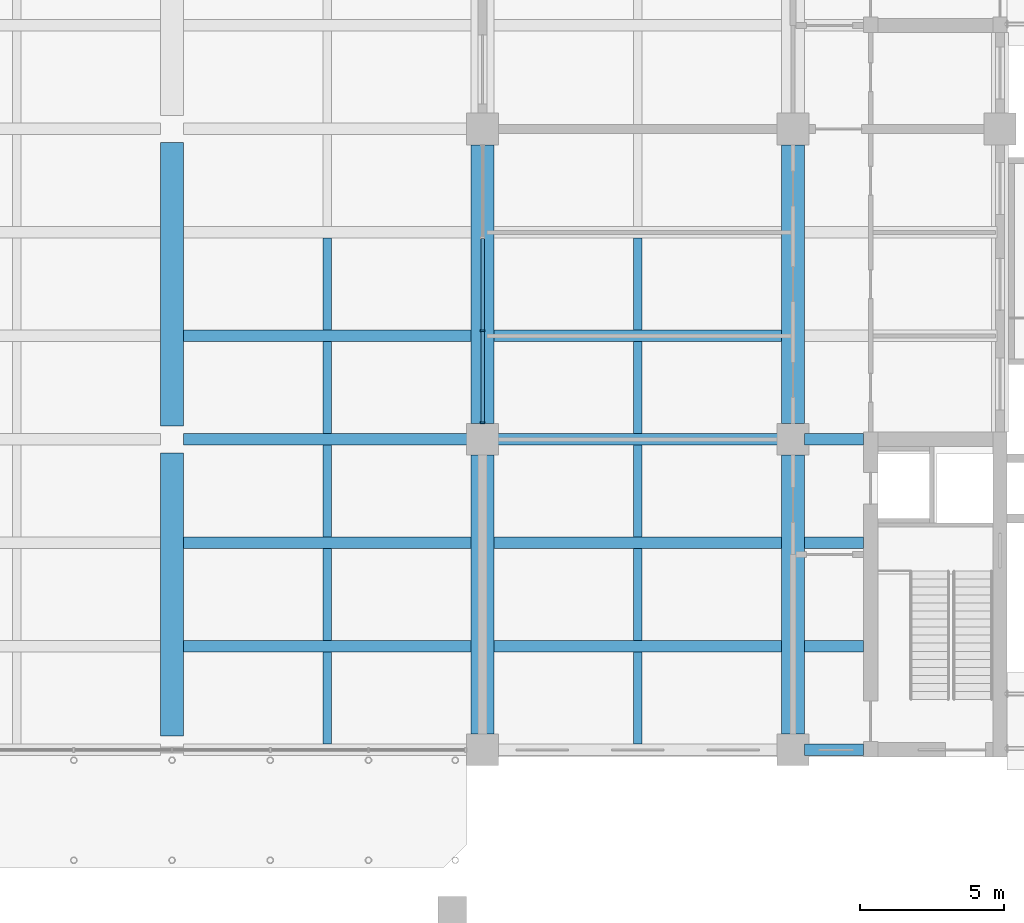
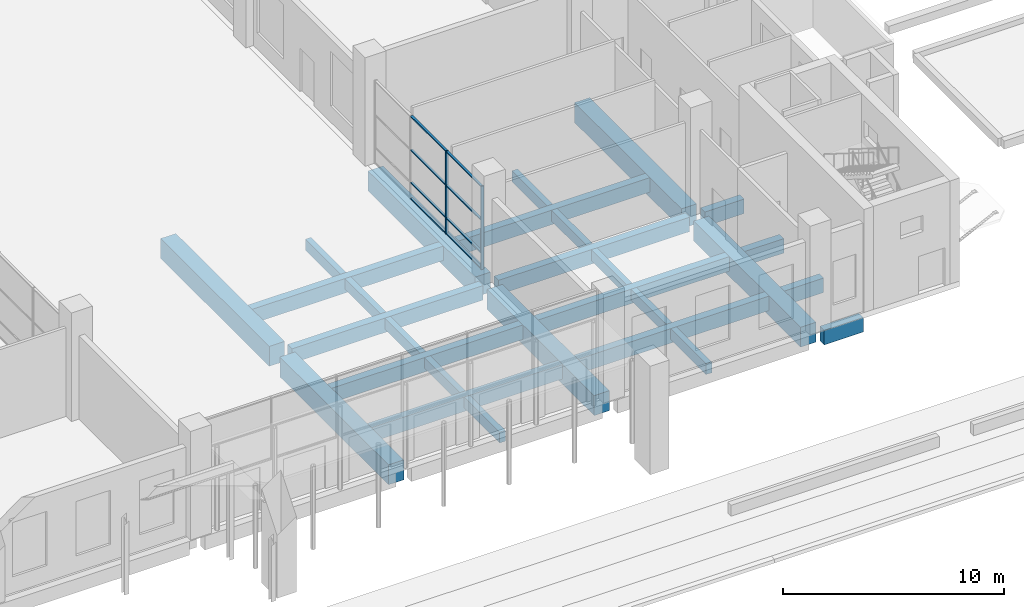
# One storey, part 27 of 71: 28 beams, 10 members, 1 element without a shape of its own.
"""IFC4 building model written with IfcOpenShell, lengths in metres."""

import ifcopenshell
import ifcopenshell.guid

model = None  # the IFC model being written
_history = None  # IfcOwnerHistory: only IFC2X3 demands one
_inside = {}  # id of a spatial element -> (the spatial element, [elements in it])
_under = {}  # id of a project, library or spatial element -> (it, [spatial elements below it])
_declared = {}  # id of a project -> (the project, [libraries it declares])
_typed = {}  # id of a type object -> (the type object, [elements of that type])
_made_of = {}  # id of a material, layer set ... -> (it, [elements and type objects made of it])


def new_model(schema):
    """Start an empty IFC model of exactly this schema.

    Asked for "IFC4X3", IfcOpenShell would pick the latest addendum, in which some entities
    have other attributes; the version numbers below select the first issue.
    IFC2X3 requires an IfcOwnerHistory on every rooted entity: one is made here for all.
    """
    global model, _history
    if schema == "IFC4X3":
        model = ifcopenshell.file(schema_version=(4, 3, 0, 0))
    else:
        model = ifcopenshell.file(schema=schema)
    _inside.clear()
    _under.clear()
    _declared.clear()
    _typed.clear()
    _made_of.clear()
    _history = None
    if model.schema == "IFC2X3":
        org = make("IfcOrganization", Name="unknown")
        user = make(
            "IfcPersonAndOrganization",
            ThePerson=make("IfcPerson", FamilyName="unknown"),
            TheOrganization=org,
        )
        app = make(
            "IfcApplication",
            ApplicationDeveloper=org,
            Version="unknown",
            ApplicationFullName="unknown",
            ApplicationIdentifier="unknown",
        )
        _history = make(
            "IfcOwnerHistory",
            OwningUser=user,
            OwningApplication=app,
            ChangeAction="ADDED",
            CreationDate=0,
        )
    return model


def make(cls, **values):
    """One entity of the class cls with the attributes given. An attribute that is None is left unset."""
    return model.create_entity(
        cls, **{name: value for name, value in values.items() if value is not None}
    )


def rooted(cls, **values):
    """An entity with a GlobalId (a new one), such as an element, a storey or a relation."""
    return make(cls, GlobalId=ifcopenshell.guid.new(), OwnerHistory=_history, **values)


def si_unit(unit_type, name, prefix=None):
    """IfcSIUnit, for example si_unit("LENGTHUNIT", "METRE", prefix="MILLI")."""
    return make("IfcSIUnit", UnitType=unit_type, Prefix=prefix, Name=name)


def assignment(units):
    """IfcUnitAssignment: the units of a project."""
    return None if units is None else make("IfcUnitAssignment", Units=units)


def point(xyz):
    """IfcCartesianPoint."""
    return None if xyz is None else make("IfcCartesianPoint", Coordinates=xyz)


def direction(xyz):
    """IfcDirection."""
    return None if xyz is None else make("IfcDirection", DirectionRatios=xyz)


def frame(location, z_axis=None, x_axis=None):
    """IfcAxis2Placement3D, a coordinate frame: its origin and axes. An axis left out is left unset."""
    return make(
        "IfcAxis2Placement3D",
        Location=point(location),
        Axis=direction(z_axis),
        RefDirection=direction(x_axis),
    )


def frame_2d(location, x_axis=None):
    """IfcAxis2Placement2D, a coordinate frame in the plane: its origin and x axis."""
    return make(
        "IfcAxis2Placement2D", Location=point(location), RefDirection=direction(x_axis)
    )


def origin():
    """The frame at (0, 0, 0) with its axes left unset."""
    return frame((0.0, 0.0, 0.0))


def origin_2d():
    """The frame at (0, 0) in the plane with its x axis left unset."""
    return frame_2d((0.0, 0.0))


def place(relative_to, where):
    """IfcLocalPlacement: puts the frame where relative to a parent placement (None: the world)."""
    return make(
        "IfcLocalPlacement", PlacementRelTo=relative_to, RelativePlacement=where
    )


def context(
    kind, dimensions, precision=None, world=None, true_north=None, identifier=None
):
    """IfcGeometricRepresentationContext, for example the 3D "Model" context."""
    return make(
        "IfcGeometricRepresentationContext",
        ContextIdentifier=identifier,
        ContextType=kind,
        CoordinateSpaceDimension=dimensions,
        Precision=precision,
        WorldCoordinateSystem=world,
        TrueNorth=true_north,
    )


def subcontext(parent, identifier, kind, view, scale=None):
    """IfcGeometricRepresentationSubContext, for example "Body" below "Model"."""
    return make(
        "IfcGeometricRepresentationSubContext",
        ContextIdentifier=identifier,
        ContextType=kind,
        ParentContext=parent,
        TargetScale=scale,
        TargetView=view,
    )


def project(units=None, contexts=None):
    """IfcProject with its units and contexts."""
    return rooted(
        "IfcProject",
        Name="project",
        RepresentationContexts=contexts,
        UnitsInContext=assignment(units),
    )


def spatial(cls, under=None, at=None, **own):
    """A site, building, storey or space (cls), placed at a placement, below another one or the project."""
    s = rooted(cls, ObjectPlacement=at, **own)
    if under is not None:
        _under.setdefault(under.id(), (under, []))[1].append(s)
    return s


def profile(cls, at=None, kind="AREA", **sizes):
    """A parametric profile (cls). Its sizes go by their IFC names, for example OverallWidth=200.0."""
    return make(cls, ProfileType=kind, Position=at, **sizes)


def rectangle(**sizes):
    """IfcRectangleProfileDef."""
    return profile("IfcRectangleProfileDef", **sizes)


def extrude(swept, where, along, depth):
    """IfcExtrudedAreaSolid: the profile swept, set in the frame where, extruded along a direction by depth."""
    return make(
        "IfcExtrudedAreaSolid",
        SweptArea=swept,
        Position=where,
        ExtrudedDirection=direction(along),
        Depth=depth,
    )


def shape(context_of_items, identifier, shape_type, items):
    """IfcShapeRepresentation: the items that make up one representation, for example the "Body"."""
    return make(
        "IfcShapeRepresentation",
        ContextOfItems=context_of_items,
        RepresentationIdentifier=identifier,
        RepresentationType=shape_type,
        Items=items,
    )


def material(Name=None, Category=None):
    """IfcMaterial."""
    return make("IfcMaterial", Name=Name, Category=Category)


def layer(
    of_material, thickness, ventilated=None, Name=None, Category=None, Priority=None
):
    """IfcMaterialLayer: one layer of a wall or slab, of a material (None: an air gap)."""
    return make(
        "IfcMaterialLayer",
        Material=of_material,
        LayerThickness=thickness,
        IsVentilated=ventilated,
        Name=Name,
        Category=Category,
        Priority=Priority,
    )


def layer_set(layers, Name=None):
    """IfcMaterialLayerSet."""
    return make("IfcMaterialLayerSet", MaterialLayers=layers, LayerSetName=Name)


def material_profile(
    of_material, cross_section, Name=None, Category=None, Priority=None
):
    """IfcMaterialProfile: a cross section and its material."""
    return make(
        "IfcMaterialProfile",
        Name=Name,
        Material=of_material,
        Profile=cross_section,
        Priority=Priority,
        Category=Category,
    )


def profile_set(profiles, Name=None, composite=None):
    """IfcMaterialProfileSet."""
    return make(
        "IfcMaterialProfileSet",
        Name=Name,
        MaterialProfiles=profiles,
        CompositeProfile=composite,
    )


def made_of(thing, what):
    """Note that an element or type object is made of a material, layer set ...; save() writes the relation."""
    if what is not None:
        _made_of.setdefault(what.id(), (what, []))[1].append(thing)
    return thing


def type_object(cls, material=None, **own):
    """A type object (cls), such as IfcWallType, which elements share."""
    return made_of(rooted(cls, **own), material)


def element(
    cls,
    number,
    at=None,
    inside=None,
    cuts=None,
    type_object=None,
    material=None,
    context=None,
    identifier="Body",
    shape_type=None,
    held_by="IfcProductDefinitionShape",
    body=None,
    shapes=None,
    **own,
):
    """One element of the class cls, such as IfcWall. Its Tag is "e" and its number.

    at: its placement. inside: the storey or other place that contains it. cuts: it is an
    opening in that element (IfcRelVoidsElement). A single representation is given by context,
    identifier, shape_type and body (its items); several are given by shapes. held_by: the class
    of the entity that holds the representations. save() writes the other relations.
    """
    e = rooted(cls, Tag="e%d" % number, ObjectPlacement=at, **own)
    if body is not None:
        shapes = [shape(context, identifier, shape_type, body)]
    if shapes is not None:
        e.Representation = make(held_by, Representations=shapes)
    if inside is not None:
        _inside.setdefault(inside.id(), (inside, []))[1].append(e)
    if cuts is not None:
        rooted(
            "IfcRelVoidsElement", RelatingBuildingElement=cuts, RelatedOpeningElement=e
        )
    if type_object is not None:
        _typed.setdefault(type_object.id(), (type_object, []))[1].append(e)
    return made_of(e, material)


def aggregate(whole, parts):
    """IfcRelAggregates: a whole, such as a stair, and the parts it consists of."""
    return rooted("IfcRelAggregates", RelatingObject=whole, RelatedObjects=parts)


def save(model, path):
    """Write the relations noted so far, then the file.

    IfcRelAggregates (storeys below a building ...), IfcRelContainedInSpatialStructure (elements
    in a storey), IfcRelDefinesByType, IfcRelAssociatesMaterial and IfcRelDeclares: one each for
    every whole, place, type object, material and project.
    """
    for whole, parts in _under.values():
        aggregate(whole, parts)
    for where, things in _inside.values():
        rooted(
            "IfcRelContainedInSpatialStructure",
            RelatedElements=things,
            RelatingStructure=where,
        )
    for kind, things in _typed.values():
        rooted("IfcRelDefinesByType", RelatedObjects=things, RelatingType=kind)
    for what, things in _made_of.values():
        rooted("IfcRelAssociatesMaterial", RelatedObjects=things, RelatingMaterial=what)
    for by, libraries in _declared.values():
        rooted("IfcRelDeclares", RelatingContext=by, RelatedDefinitions=libraries)
    model.write(path)


model = new_model("IFC4")

# Units and contexts
model_context = context("Model", 3, precision=1e-05, world=origin(), true_north=direction((0.0, 1.0)))
body_context = subcontext(model_context, "Body", "Model", "MODEL_VIEW")
ifc_project = project(units=[si_unit("LENGTHUNIT", "METRE"), si_unit("AREAUNIT", "SQUARE_METRE"), si_unit("VOLUMEUNIT", "CUBIC_METRE"), si_unit("PLANEANGLEUNIT", "RADIAN"), si_unit("MASSUNIT", "GRAM", prefix="KILO")], contexts=[model_context])

# Site, building, storey
site_placement = place(None, origin())
site = spatial("IfcSite", under=ifc_project, at=site_placement, CompositionType="ELEMENT")
building_placement = place(site_placement, origin())
building = spatial("IfcBuilding", under=site, at=building_placement, Name="Basin Gate Institute", CompositionType="ELEMENT")
storey_placement = place(building_placement, origin())
storey = spatial("IfcBuildingStorey", under=building, at=storey_placement, Name="L00", CompositionType="ELEMENT", Elevation=0.0)

# Beams
ifc_material_1 = material(Name="Concrete 40 MPa", Category="concrete")
ifc_material_profile_1 = material_profile(ifc_material_1, rectangle(XDim=0.39990234375, YDim=0.800048828125, at=origin_2d()), Name="Beam B2 400 x 800")
ifc_profile_set_1 = profile_set([ifc_material_profile_1], Name="Concrete 40 MPa")
beam_type_1 = type_object("IfcBeamType", Name="Beam B2 R180", PredefinedType="BEAM", material=ifc_profile_set_1)
beam_1_placement = place(storey_placement, frame((114.050048828125, 35.10009765625, -0.699951171875), z_axis=(-1.0, 0.0, 0.0), x_axis=(0.0, -1.0, 0.0)))
element("IfcBeam", 1, at=beam_1_placement, inside=storey, type_object=beam_type_1, material=ifc_profile_set_1, Name="BEAM/L00/E/CORR/01", PredefinedType="BEAM", context=body_context, shape_type="SweptSolid", body=[
    extrude(rectangle(XDim=0.39990234375, YDim=0.800048828125, at=origin_2d()), origin(), (0.0, 0.0, 1.0), 2.050048828125),
])
beam_2_placement = place(storey_placement, frame((111.199951171875, 38.699951171875, -0.699951171875), z_axis=(-1.0, 0.0, 0.0), x_axis=(0.0, -1.0, 0.0)))
element("IfcBeam", 2, at=beam_2_placement, inside=storey, type_object=beam_type_1, material=ifc_profile_set_1, Name="BEAM/L00/E/EW/02", PredefinedType="BEAM", context=body_context, shape_type="SweptSolid", body=[
    extrude(rectangle(XDim=0.39990234375, YDim=0.800048828125, at=origin_2d()), origin(), (0.0, 0.0, 1.0), 10.0),
])
beam_3_placement = place(storey_placement, frame((114.050048828125, 38.699951171875, -0.699951171875), z_axis=(-1.0, 0.0, 0.0), x_axis=(0.0, -1.0, 0.0)))
element("IfcBeam", 3, at=beam_3_placement, inside=storey, type_object=beam_type_1, material=ifc_profile_set_1, Name="BEAM/L00/E/CORR/02", PredefinedType="BEAM", context=body_context, shape_type="SweptSolid", body=[
    extrude(rectangle(XDim=0.39990234375, YDim=0.800048828125, at=origin_2d()), origin(), (0.0, 0.0, 1.0), 2.050048828125),
])
beam_4_placement = place(storey_placement, frame((111.199951171875, 42.300048828125, -0.699951171875), z_axis=(-1.0, 0.0, 0.0), x_axis=(0.0, -1.0, 0.0)))
element("IfcBeam", 4, at=beam_4_placement, inside=storey, type_object=beam_type_1, material=ifc_profile_set_1, Name="BEAM/L00/E/EW/03", PredefinedType="BEAM", context=body_context, shape_type="SweptSolid", body=[
    extrude(rectangle(XDim=0.39990234375, YDim=0.800048828125, at=origin_2d()), origin(), (0.0, 0.0, 1.0), 10.0),
])
beam_5_placement = place(storey_placement, frame((114.050048828125, 42.300048828125, -0.699951171875), z_axis=(-1.0, 0.0, 0.0), x_axis=(0.0, -1.0, 0.0)))
element("IfcBeam", 5, at=beam_5_placement, inside=storey, type_object=beam_type_1, material=ifc_profile_set_1, Name="BEAM/L00/E/CORR/03", PredefinedType="BEAM", context=body_context, shape_type="SweptSolid", body=[
    extrude(rectangle(XDim=0.39990234375, YDim=0.800048828125, at=origin_2d()), origin(), (0.0, 0.0, 1.0), 2.050048828125),
])
beam_6_placement = place(storey_placement, frame((111.199951171875, 45.89990234375, -0.699951171875), z_axis=(-1.0, 0.0, 0.0), x_axis=(0.0, -1.0, 0.0)))
element("IfcBeam", 6, at=beam_6_placement, inside=storey, type_object=beam_type_1, material=ifc_profile_set_1, Name="BEAM/L00/E/EW/04", PredefinedType="BEAM", context=body_context, shape_type="SweptSolid", body=[
    extrude(rectangle(XDim=0.39990234375, YDim=0.800048828125, at=origin_2d()), origin(), (0.0, 0.0, 1.0), 10.0),
])
beam_7_placement = place(storey_placement, frame((114.050048828125, 45.89990234375, -0.699951171875), z_axis=(-1.0, 0.0, 0.0), x_axis=(0.0, -1.0, 0.0)))
element("IfcBeam", 7, at=beam_7_placement, inside=storey, type_object=beam_type_1, material=ifc_profile_set_1, Name="BEAM/L00/E/CORR/04", PredefinedType="BEAM", context=body_context, shape_type="SweptSolid", body=[
    extrude(rectangle(XDim=0.39990234375, YDim=0.800048828125, at=origin_2d()), origin(), (0.0, 0.0, 1.0), 2.050048828125),
])
for number, where, z_axis, x_axis, name in (
    (8, (111.199951171875, 49.5, -0.699951171875), (-1.0, 0.0, 0.0), (0.0, -1.0, 0.0), "BEAM/L00/E/EW/05"),
    (9, (90.39990234375, 38.699951171875, -0.699951171875), (1.0, 0.0, 0.0), (0.0, 1.0, 0.0), "BEAM/L00/CAN/E/02"),
    (10, (90.39990234375, 42.300048828125, -0.699951171875), (1.0, 0.0, 0.0), (0.0, 1.0, 0.0), "BEAM/L00/CAN/E/03"),
    (11, (90.39990234375, 45.89990234375, -0.699951171875), (1.0, 0.0, 0.0), (0.0, 1.0, 0.0), "BEAM/L00/CAN/E/04"),
    (12, (90.39990234375, 49.5, -0.699951171875), (1.0, 0.0, 0.0), (0.0, 1.0, 0.0), "BEAM/L00/CAN/E/05"),
):
    element("IfcBeam", number, at=place(storey_placement, frame(where, z_axis=z_axis, x_axis=x_axis)), inside=storey, type_object=beam_type_1, material=ifc_profile_set_1, Name=name, PredefinedType="BEAM", context=body_context, shape_type="SweptSolid", body=[
        extrude(rectangle(XDim=0.39990234375, YDim=0.800048828125, at=origin_2d()), origin(), (0.0, 0.0, 1.0), 10.0),
    ])
ifc_material_2 = material(Name="Concrete 50 MPa", Category="concrete")
ifc_material_profile_2 = material_profile(ifc_material_2, rectangle(XDim=0.800048828125, YDim=1.10009765625, at=origin_2d()), Name="Girder G2 800 x 1100")
ifc_profile_set_2 = profile_set([ifc_material_profile_2], Name="Concrete 50 MPa")
beam_type_2 = type_object("IfcBeamType", Name="Girder G2 R180", PredefinedType="BEAM", material=ifc_profile_set_2)
beam_8_placement = place(storey_placement, frame((111.60009765625, 35.64990234375, -0.85009765625), z_axis=(0.0, 1.0, 0.0), x_axis=(-1.0, 0.0, 0.0)))
element("IfcBeam", 13, at=beam_8_placement, inside=storey, type_object=beam_type_2, material=ifc_profile_set_2, Name="GIR/L00/E8/1", PredefinedType="BEAM", context=body_context, shape_type="SweptSolid", body=[
    extrude(rectangle(XDim=0.800048828125, YDim=1.10009765625, at=origin_2d()), origin(), (0.0, 0.0, 1.0), 9.7001953125),
])
beam_9_placement = place(storey_placement, frame((111.60009765625, 46.449951171875, -0.85009765625), z_axis=(0.0, 1.0, 0.0), x_axis=(-1.0, 0.0, 0.0)))
element("IfcBeam", 14, at=beam_9_placement, inside=storey, type_object=beam_type_2, material=ifc_profile_set_2, Name="GIR/L00/E8/2", PredefinedType="BEAM", context=body_context, shape_type="SweptSolid", body=[
    extrude(rectangle(XDim=0.800048828125, YDim=1.10009765625, at=origin_2d()), origin(), (0.0, 0.0, 1.0), 9.699951171875),
])
beam_10_placement = place(storey_placement, frame((100.800048828125, 35.64990234375, -0.85009765625), z_axis=(0.0, 1.0, 0.0), x_axis=(-1.0, 0.0, 0.0)))
element("IfcBeam", 15, at=beam_10_placement, inside=storey, type_object=beam_type_2, material=ifc_profile_set_2, Name="GIR/L00/E7/1", PredefinedType="BEAM", context=body_context, shape_type="SweptSolid", body=[
    extrude(rectangle(XDim=0.800048828125, YDim=1.10009765625, at=origin_2d()), origin(), (0.0, 0.0, 1.0), 9.7001953125),
])
beam_11_placement = place(storey_placement, frame((100.800048828125, 46.449951171875, -0.85009765625), z_axis=(0.0, 1.0, 0.0), x_axis=(-1.0, 0.0, 0.0)))
element("IfcBeam", 16, at=beam_11_placement, inside=storey, type_object=beam_type_2, material=ifc_profile_set_2, Name="GIR/L00/E7/2", PredefinedType="BEAM", context=body_context, shape_type="SweptSolid", body=[
    extrude(rectangle(XDim=0.800048828125, YDim=1.10009765625, at=origin_2d()), origin(), (0.0, 0.0, 1.0), 9.699951171875),
])
for number, where, z_axis, x_axis, name in (
    (17, (90.0, 35.574951171875, -0.85009765625), (0.0, 1.0, 0.0), (-1.0, 0.0, 0.0), "GIR/L00/C65/1"),
    (18, (90.0, 46.375, -0.85009765625), (0.0, 1.0, 0.0), (-1.0, 0.0, 0.0), "GIR/L00/C65/2"),
):
    element("IfcBeam", number, at=place(storey_placement, frame(where, z_axis=z_axis, x_axis=x_axis)), inside=storey, type_object=beam_type_2, material=ifc_profile_set_2, Name=name, PredefinedType="BEAM", context=body_context, shape_type="SweptSolid", body=[
        extrude(rectangle(XDim=0.800048828125, YDim=1.10009765625, at=origin_2d()), origin(), (0.0, 0.0, 1.0), 9.85009765625),
    ])

# Curtain wall, members
ifc_material_3 = material(Name="Fire-resistant glazing in steel-free frame", Category="steel")
ifc_layer = layer(ifc_material_3, 0.199951171875)
ifc_layer_set = layer_set([ifc_layer], Name="Fire-resistant glazing in steel-free frame")
curtain_wall_type = type_object("IfcCurtainWallType", Name="Atrium rated curtain wall CW3", PredefinedType="NOTDEFINED", material=ifc_layer_set)
curtain_wall_placement = place(storey_placement, origin())
curtain_wall = element("IfcCurtainWall", 19, at=curtain_wall_placement, inside=storey, type_object=curtain_wall_type, material=ifc_layer_set, Name="Atrium rated curtain wall E wing atrium bay 2 L00", PredefinedType="NOTDEFINED")
ifc_material_4 = material(Name="Aluminium", Category="aluminium")
ifc_material_profile_3 = material_profile(ifc_material_4, rectangle(XDim=0.14990234375, YDim=0.06005859375, at=origin_2d()), Name="Mullion MU3 150 x 60")
ifc_profile_set_3 = profile_set([ifc_material_profile_3], Name="Aluminium")
member_type_1 = type_object("IfcMemberType", Name="Mullion MU3", PredefinedType="MULLION", material=ifc_profile_set_3)
member_1_placement = place(storey_placement, frame((100.800048828125, 46.47998046875, 0.0), z_axis=(0.0, 0.0, 1.0), x_axis=(-1.0, 0.0, 0.0)))
member_1 = element("IfcMember", 20, at=member_1_placement, type_object=member_type_1, material=ifc_profile_set_3, Name="CW3 mullion 1", PredefinedType="MULLION", context=body_context, shape_type="SweptSolid", body=[
    extrude(rectangle(XDim=0.14990234375, YDim=0.06005859375, at=origin_2d()), origin(), (0.0, 0.0, 1.0), 4.60009765625),
])
member_2_placement = place(storey_placement, frame((100.800048828125, 49.683349609375, 0.0), z_axis=(0.0, 0.0, 1.0), x_axis=(-1.0, 0.0, 0.0)))
member_2 = element("IfcMember", 21, at=member_2_placement, type_object=member_type_1, material=ifc_profile_set_3, Name="CW3 mullion 2", PredefinedType="MULLION", context=body_context, shape_type="SweptSolid", body=[
    extrude(rectangle(XDim=0.14990234375, YDim=0.06005859375, at=origin_2d()), origin(), (0.0, 0.0, 1.0), 4.60009765625),
])

# Beams
ifc_material_5 = material(Name="Concrete 40 MPa", Category="concrete")
ifc_material_profile_4 = material_profile(ifc_material_5, rectangle(XDim=0.300048828125, YDim=0.60009765625, at=origin_2d()), Name="Rib R2 300 x 600")
ifc_profile_set_4 = profile_set([ifc_material_profile_4], Name="Concrete 40 MPa")
beam_type_3 = type_object("IfcBeamType", Name="Rib R2 R180", PredefinedType="JOIST", material=ifc_profile_set_4)
beam_12_placement = place(storey_placement, frame((106.199951171875, 35.300048828125, -0.60009765625), z_axis=(0.0, 1.0, 0.0), x_axis=(-1.0, 0.0, 0.0)))
element("IfcBeam", 22, at=beam_12_placement, inside=storey, type_object=beam_type_3, material=ifc_profile_set_4, Name="BEAM/L00/E/RIB/01", PredefinedType="JOIST", context=body_context, shape_type="SweptSolid", body=[
    extrude(rectangle(XDim=0.300048828125, YDim=0.60009765625, at=origin_2d()), origin(), (0.0, 0.0, 1.0), 3.199951171875),
])
beam_13_placement = place(storey_placement, frame((106.199951171875, 38.89990234375, -0.60009765625), z_axis=(0.0, 1.0, 0.0), x_axis=(-1.0, 0.0, 0.0)))
element("IfcBeam", 23, at=beam_13_placement, inside=storey, type_object=beam_type_3, material=ifc_profile_set_4, Name="BEAM/L00/E/RIB/02", PredefinedType="JOIST", context=body_context, shape_type="SweptSolid", body=[
    extrude(rectangle(XDim=0.300048828125, YDim=0.60009765625, at=origin_2d()), origin(), (0.0, 0.0, 1.0), 3.2001953125),
])
for number, where, z_axis, x_axis, name in (
    (24, (106.199951171875, 42.5, -0.60009765625), (0.0, 1.0, 0.0), (-1.0, 0.0, 0.0), "BEAM/L00/E/RIB/03"),
    (25, (106.199951171875, 46.10009765625, -0.60009765625), (0.0, 1.0, 0.0), (-1.0, 0.0, 0.0), "BEAM/L00/E/RIB/04"),
    (26, (106.199951171875, 49.699951171875, -0.60009765625), (0.0, 1.0, 0.0), (-1.0, 0.0, 0.0), "BEAM/L00/E/RIB/05"),
    (27, (95.39990234375, 35.300048828125, -0.60009765625), (0.0, 1.0, 0.0), (-1.0, 0.0, 0.0), "BEAM/L00/CAN/RIBE/01"),
):
    element("IfcBeam", number, at=place(storey_placement, frame(where, z_axis=z_axis, x_axis=x_axis)), inside=storey, type_object=beam_type_3, material=ifc_profile_set_4, Name=name, PredefinedType="JOIST", context=body_context, shape_type="SweptSolid", body=[
        extrude(rectangle(XDim=0.300048828125, YDim=0.60009765625, at=origin_2d()), origin(), (0.0, 0.0, 1.0), 3.199951171875),
    ])
beam_14_placement = place(storey_placement, frame((95.39990234375, 38.89990234375, -0.60009765625), z_axis=(0.0, 1.0, 0.0), x_axis=(-1.0, 0.0, 0.0)))
element("IfcBeam", 28, at=beam_14_placement, inside=storey, type_object=beam_type_3, material=ifc_profile_set_4, Name="BEAM/L00/CAN/RIBE/02", PredefinedType="JOIST", context=body_context, shape_type="SweptSolid", body=[
    extrude(rectangle(XDim=0.300048828125, YDim=0.60009765625, at=origin_2d()), origin(), (0.0, 0.0, 1.0), 3.2001953125),
])
for number, where, z_axis, x_axis, name in (
    (29, (95.39990234375, 42.5, -0.60009765625), (0.0, 1.0, 0.0), (-1.0, 0.0, 0.0), "BEAM/L00/CAN/RIBE/03"),
    (30, (95.39990234375, 46.10009765625, -0.60009765625), (0.0, 1.0, 0.0), (-1.0, 0.0, 0.0), "BEAM/L00/CAN/RIBE/04"),
    (31, (95.39990234375, 49.699951171875, -0.60009765625), (0.0, 1.0, 0.0), (-1.0, 0.0, 0.0), "BEAM/L00/CAN/RIBE/05"),
):
    element("IfcBeam", number, at=place(storey_placement, frame(where, z_axis=z_axis, x_axis=x_axis)), inside=storey, type_object=beam_type_3, material=ifc_profile_set_4, Name=name, PredefinedType="JOIST", context=body_context, shape_type="SweptSolid", body=[
        extrude(rectangle(XDim=0.300048828125, YDim=0.60009765625, at=origin_2d()), origin(), (0.0, 0.0, 1.0), 3.199951171875),
    ])

# Member
ifc_material_6 = material(Name="Aluminium", Category="aluminium")
ifc_material_profile_5 = material_profile(ifc_material_6, rectangle(XDim=0.1201171875, YDim=0.06005859375, at=origin_2d()), Name="Transom TR3 120 x 60")
ifc_profile_set_5 = profile_set([ifc_material_profile_5], Name="Aluminium")
member_type_2 = type_object("IfcMemberType", Name="Transom TR3", PredefinedType="USERDEFINED", material=ifc_profile_set_5)
member_3_placement = place(storey_placement, frame((100.800048828125, 46.510009765625, 0.030029296875), z_axis=(0.0, 1.0, 0.0), x_axis=(-1.0, 0.0, 0.0)))
member_3 = element("IfcMember", 32, at=member_3_placement, type_object=member_type_2, material=ifc_profile_set_5, Name="CW3 transom 1.1", ObjectType="TRANSOM", PredefinedType="USERDEFINED", context=body_context, shape_type="SweptSolid", body=[
    extrude(rectangle(XDim=0.1201171875, YDim=0.06005859375, at=origin_2d()), origin(), (0.0, 0.0, 1.0), 3.143310546875),
])

member_4_placement = place(storey_placement, frame((100.800048828125, 46.510009765625, 0.89990234375), z_axis=(0.0, 1.0, 0.0), x_axis=(-1.0, 0.0, 0.0)))
member_4 = element("IfcMember", 33, at=member_4_placement, type_object=member_type_2, material=ifc_profile_set_5, Name="CW3 transom 1.2", ObjectType="TRANSOM", PredefinedType="USERDEFINED", context=body_context, shape_type="SweptSolid", body=[
    extrude(rectangle(XDim=0.1201171875, YDim=0.06005859375, at=origin_2d()), origin(), (0.0, 0.0, 1.0), 3.143310546875),
])

member_5_placement = place(storey_placement, frame((100.800048828125, 46.510009765625, 2.699951171875), z_axis=(0.0, 1.0, 0.0), x_axis=(-1.0, 0.0, 0.0)))
member_5 = element("IfcMember", 34, at=member_5_placement, type_object=member_type_2, material=ifc_profile_set_5, Name="CW3 transom 1.3", ObjectType="TRANSOM", PredefinedType="USERDEFINED", context=body_context, shape_type="SweptSolid", body=[
    extrude(rectangle(XDim=0.1201171875, YDim=0.06005859375, at=origin_2d()), origin(), (0.0, 0.0, 1.0), 3.143310546875),
])

member_6_placement = place(storey_placement, frame((100.800048828125, 46.510009765625, 4.570068359375), z_axis=(0.0, 1.0, 0.0), x_axis=(-1.0, 0.0, 0.0)))
member_6 = element("IfcMember", 35, at=member_6_placement, type_object=member_type_2, material=ifc_profile_set_5, Name="CW3 transom 1.4", ObjectType="TRANSOM", PredefinedType="USERDEFINED", context=body_context, shape_type="SweptSolid", body=[
    extrude(rectangle(XDim=0.1201171875, YDim=0.06005859375, at=origin_2d()), origin(), (0.0, 0.0, 1.0), 3.143310546875),
])

member_7_placement = place(storey_placement, frame((100.800048828125, 49.71337890625, 0.030029296875), z_axis=(0.0, 1.0, 0.0), x_axis=(-1.0, 0.0, 0.0)))
member_7 = element("IfcMember", 36, at=member_7_placement, type_object=member_type_2, material=ifc_profile_set_5, Name="CW3 transom 2.1", ObjectType="TRANSOM", PredefinedType="USERDEFINED", context=body_context, shape_type="SweptSolid", body=[
    extrude(rectangle(XDim=0.1201171875, YDim=0.06005859375, at=origin_2d()), origin(), (0.0, 0.0, 1.0), 3.17333984375),
])

member_8_placement = place(storey_placement, frame((100.800048828125, 49.71337890625, 0.89990234375), z_axis=(0.0, 1.0, 0.0), x_axis=(-1.0, 0.0, 0.0)))
member_8 = element("IfcMember", 37, at=member_8_placement, type_object=member_type_2, material=ifc_profile_set_5, Name="CW3 transom 2.2", ObjectType="TRANSOM", PredefinedType="USERDEFINED", context=body_context, shape_type="SweptSolid", body=[
    extrude(rectangle(XDim=0.1201171875, YDim=0.06005859375, at=origin_2d()), origin(), (0.0, 0.0, 1.0), 3.17333984375),
])

member_9_placement = place(storey_placement, frame((100.800048828125, 49.71337890625, 2.699951171875), z_axis=(0.0, 1.0, 0.0), x_axis=(-1.0, 0.0, 0.0)))
member_9 = element("IfcMember", 38, at=member_9_placement, type_object=member_type_2, material=ifc_profile_set_5, Name="CW3 transom 2.3", ObjectType="TRANSOM", PredefinedType="USERDEFINED", context=body_context, shape_type="SweptSolid", body=[
    extrude(rectangle(XDim=0.1201171875, YDim=0.06005859375, at=origin_2d()), origin(), (0.0, 0.0, 1.0), 3.17333984375),
])

member_10_placement = place(storey_placement, frame((100.800048828125, 49.71337890625, 4.570068359375), z_axis=(0.0, 1.0, 0.0), x_axis=(-1.0, 0.0, 0.0)))
member_10 = element("IfcMember", 39, at=member_10_placement, type_object=member_type_2, material=ifc_profile_set_5, Name="CW3 transom 2.4", ObjectType="TRANSOM", PredefinedType="USERDEFINED", context=body_context, shape_type="SweptSolid", body=[
    extrude(rectangle(XDim=0.1201171875, YDim=0.06005859375, at=origin_2d()), origin(), (0.0, 0.0, 1.0), 3.17333984375),
])

aggregate(curtain_wall, [member_1, member_2, member_3, member_4, member_5, member_6, member_7, member_8, member_9, member_10])

save(model, "model.ifc")
